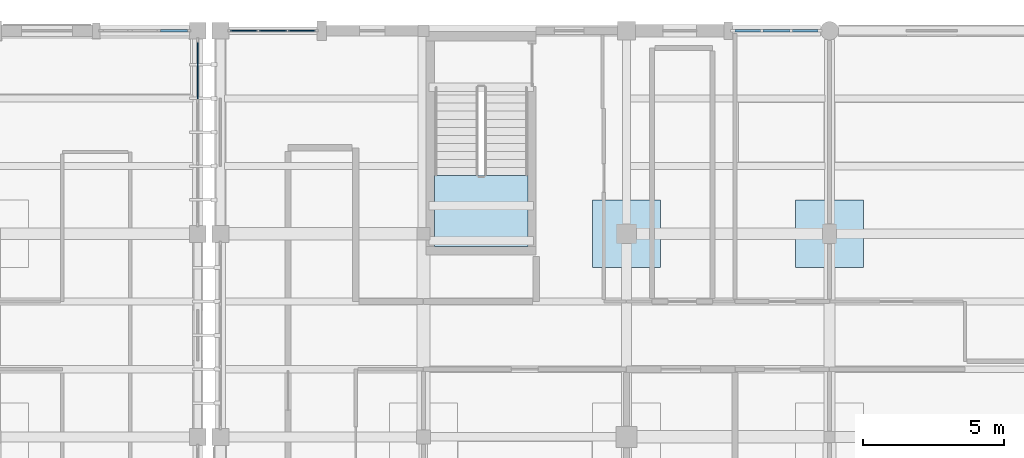
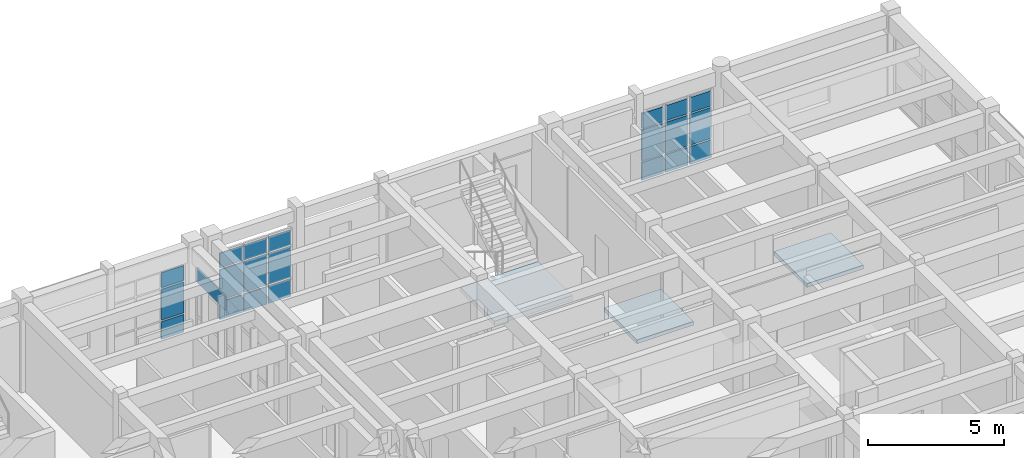
# One storey, part 55 of 100: 22 plates, 3 slabs, 5 elements without a shape of their own.
"""IFC4 building model written with IfcOpenShell, lengths in metres."""

from ifc_helpers import new_model, si_unit, direction, frame, origin, origin_2d, place, context, subcontext, project, spatial, polyline, rectangle, outline, extrude, material, layer, layer_set, type_object, element, aggregate, save


model = new_model("IFC4")

# Units and contexts
model_context = context("Model", 3, precision=1e-05, world=origin(), true_north=direction((0.0, 1.0)))
body_context = subcontext(model_context, "Body", "Model", "MODEL_VIEW")
ifc_project = project(units=[si_unit("LENGTHUNIT", "METRE"), si_unit("AREAUNIT", "SQUARE_METRE"), si_unit("VOLUMEUNIT", "CUBIC_METRE"), si_unit("PLANEANGLEUNIT", "RADIAN"), si_unit("MASSUNIT", "GRAM", prefix="KILO")], contexts=[model_context])

# Site, building, storey
site_placement = place(None, origin())
site = spatial("IfcSite", under=ifc_project, at=site_placement, CompositionType="ELEMENT")
building_placement = place(site_placement, origin())
building = spatial("IfcBuilding", under=site, at=building_placement, Name="Steenspoor Specialist Clinic", CompositionType="ELEMENT")
storey_placement = place(building_placement, frame((0.0, 0.0, 9.0)))
storey = spatial("IfcBuildingStorey", under=building, at=storey_placement, Name="L02", CompositionType="ELEMENT", Elevation=9.0)

# Curtain wall, plate
ifc_material_1 = material(Name="Thermally broken aluminium and low-emissivity glass", Category="aluminium")
curtain_wall_type_1 = type_object("IfcCurtainWallType", Name="CW-TYP-300X355", PredefinedType="USERDEFINED", material=ifc_material_1)
curtain_wall_1_placement = place(storey_placement, origin())
curtain_wall_1 = element("IfcCurtainWall", 1, at=curtain_wall_1_placement, inside=storey, type_object=curtain_wall_type_1, Name="Unitised Curtain Wall CW-V4-L02-087", ObjectType="UNITISED GLAZING", PredefinedType="USERDEFINED")
ifc_material_2 = material(Name="Double low-emissivity insulated glass", Category="glass")
ifc_layer_1 = layer(ifc_material_2, 0.035888671875)
ifc_layer_set_1 = layer_set([ifc_layer_1], Name="Double low-emissivity insulated glass")
plate_type_1 = type_object("IfcPlateType", Name="CW-PAN-GL36", PredefinedType="CURTAIN_PANEL", material=ifc_layer_set_1)
plate_1_placement = place(storey_placement, frame((117.199951171875, 106.933837890625, 2.38232421875), z_axis=(0.0, 0.0, 1.0), x_axis=(0.0, -1.0, 0.0)))
plate_1 = element("IfcPlate", 2, at=plate_1_placement, type_object=plate_type_1, Name="CW-15 panel 1.3", PredefinedType="CURTAIN_PANEL", context=body_context, shape_type="SweptSolid", body=[
    extrude(rectangle(XDim=2.1025390625, YDim=0.035888671875, at=origin_2d()), origin(), (0.0, 0.0, 1.0), 0.6826171875),
])
aggregate(curtain_wall_1, [plate_1])

# Curtain wall, plates
curtain_wall_type_2 = type_object("IfcCurtainWallType", Name="CW-WLK-360X340", PredefinedType="USERDEFINED", material=ifc_material_1)
curtain_wall_2_placement = place(storey_placement, origin())
curtain_wall_2 = element("IfcCurtainWall", 3, at=curtain_wall_2_placement, inside=storey, type_object=curtain_wall_type_2, Name="Unitised Curtain Wall CW-V6-L02-190", ObjectType="UNITISED GLAZING", PredefinedType="USERDEFINED")
ifc_material_3 = material(Name="Triple acoustic laminated low-emissivity glass", Category="glass")
ifc_layer_2 = layer(ifc_material_3, 0.048095703125)
ifc_layer_set_2 = layer_set([ifc_layer_2], Name="Triple acoustic laminated low-emissivity glass")
plate_type_2 = type_object("IfcPlateType", Name="CW-PAN-GL48", PredefinedType="CURTAIN_PANEL", material=ifc_layer_set_2)
plate_2_placement = place(storey_placement, frame((118.836669921875, 108.35009765625, 0.080078125), z_axis=(0.0, 0.0, 1.0), x_axis=(1.0, 0.0, 0.0)))
plate_2 = element("IfcPlate", 4, at=plate_2_placement, type_object=plate_type_2, Name="CW-22 panel 1.1", PredefinedType="CURTAIN_PANEL", context=body_context, shape_type="SweptSolid", body=[
    extrude(rectangle(XDim=0.953369140625, YDim=0.048095703125, at=origin_2d()), origin(), (0.0, 0.0, 1.0), 0.780029296875),
])
plate_3_placement = place(storey_placement, frame((118.836669921875, 108.35009765625, 0.93994140625), z_axis=(0.0, 0.0, 1.0), x_axis=(1.0, 0.0, 0.0)))
plate_3 = element("IfcPlate", 5, at=plate_3_placement, type_object=plate_type_2, Name="CW-22 panel 1.2", PredefinedType="CURTAIN_PANEL", context=body_context, shape_type="SweptSolid", body=[
    extrude(rectangle(XDim=0.953369140625, YDim=0.048095703125, at=origin_2d()), origin(), (0.0, 0.0, 1.0), 1.3701171875),
])
plate_4_placement = place(storey_placement, frame((118.836669921875, 108.35009765625, 2.39013671875), z_axis=(0.0, 0.0, 1.0), x_axis=(1.0, 0.0, 0.0)))
plate_4 = element("IfcPlate", 6, at=plate_4_placement, type_object=plate_type_2, Name="CW-22 panel 1.3", PredefinedType="CURTAIN_PANEL", context=body_context, shape_type="SweptSolid", body=[
    extrude(rectangle(XDim=0.953369140625, YDim=0.048095703125, at=origin_2d()), origin(), (0.0, 0.0, 1.0), 0.659912109375),
])
plate_5_placement = place(storey_placement, frame((119.864990234375, 108.35009765625, 0.080078125), z_axis=(0.0, 0.0, 1.0), x_axis=(1.0, 0.0, 0.0)))
plate_5 = element("IfcPlate", 7, at=plate_5_placement, type_object=plate_type_2, Name="CW-22 panel 2.1", PredefinedType="CURTAIN_PANEL", context=body_context, shape_type="SweptSolid", body=[
    extrude(rectangle(XDim=0.9833984375, YDim=0.048095703125, at=origin_2d()), origin(), (0.0, 0.0, 1.0), 0.780029296875),
])
plate_6_placement = place(storey_placement, frame((119.864990234375, 108.35009765625, 0.93994140625), z_axis=(0.0, 0.0, 1.0), x_axis=(1.0, 0.0, 0.0)))
plate_6 = element("IfcPlate", 8, at=plate_6_placement, type_object=plate_type_2, Name="CW-22 panel 2.2", PredefinedType="CURTAIN_PANEL", context=body_context, shape_type="SweptSolid", body=[
    extrude(rectangle(XDim=0.9833984375, YDim=0.048095703125, at=origin_2d()), origin(), (0.0, 0.0, 1.0), 1.3701171875),
])
plate_7_placement = place(storey_placement, frame((119.864990234375, 108.35009765625, 2.39013671875), z_axis=(0.0, 0.0, 1.0), x_axis=(1.0, 0.0, 0.0)))
plate_7 = element("IfcPlate", 9, at=plate_7_placement, type_object=plate_type_2, Name="CW-22 panel 2.3", PredefinedType="CURTAIN_PANEL", context=body_context, shape_type="SweptSolid", body=[
    extrude(rectangle(XDim=0.9833984375, YDim=0.048095703125, at=origin_2d()), origin(), (0.0, 0.0, 1.0), 0.659912109375),
])
plate_8_placement = place(storey_placement, frame((120.893310546875, 108.35009765625, 0.080078125), z_axis=(0.0, 0.0, 1.0), x_axis=(1.0, 0.0, 0.0)))
plate_8 = element("IfcPlate", 10, at=plate_8_placement, type_object=plate_type_2, Name="CW-22 panel 3.1", PredefinedType="CURTAIN_PANEL", context=body_context, shape_type="SweptSolid", body=[
    extrude(rectangle(XDim=0.953369140625, YDim=0.048095703125, at=origin_2d()), origin(), (0.0, 0.0, 1.0), 0.780029296875),
])
plate_9_placement = place(storey_placement, frame((120.893310546875, 108.35009765625, 0.93994140625), z_axis=(0.0, 0.0, 1.0), x_axis=(1.0, 0.0, 0.0)))
plate_9 = element("IfcPlate", 11, at=plate_9_placement, type_object=plate_type_2, Name="CW-22 panel 3.2", PredefinedType="CURTAIN_PANEL", context=body_context, shape_type="SweptSolid", body=[
    extrude(rectangle(XDim=0.953369140625, YDim=0.048095703125, at=origin_2d()), origin(), (0.0, 0.0, 1.0), 1.3701171875),
])
plate_10_placement = place(storey_placement, frame((120.893310546875, 108.35009765625, 2.39013671875), z_axis=(0.0, 0.0, 1.0), x_axis=(1.0, 0.0, 0.0)))
plate_10 = element("IfcPlate", 12, at=plate_10_placement, type_object=plate_type_2, Name="CW-22 panel 3.3", PredefinedType="CURTAIN_PANEL", context=body_context, shape_type="SweptSolid", body=[
    extrude(rectangle(XDim=0.953369140625, YDim=0.048095703125, at=origin_2d()), origin(), (0.0, 0.0, 1.0), 0.659912109375),
])
aggregate(curtain_wall_2, [plate_2, plate_3, plate_4, plate_5, plate_6, plate_7, plate_8, plate_9, plate_10])

curtain_wall_type_3 = type_object("IfcCurtainWallType", Name="CW-TYP-360X355", PredefinedType="USERDEFINED", material=ifc_material_1)
curtain_wall_3_placement = place(storey_placement, origin())
curtain_wall_3 = element("IfcCurtainWall", 13, at=curtain_wall_3_placement, inside=storey, type_object=curtain_wall_type_3, Name="Unitised Curtain Wall CW-V4-L02-086", ObjectType="UNITISED GLAZING", PredefinedType="USERDEFINED")
ifc_material_4 = material(Name="Insulated glazed ceramic spandrel panel", Category="glass")
ifc_layer_3 = layer(ifc_material_4, 0.074951171875)
ifc_layer_set_3 = layer_set([ifc_layer_3], Name="Insulated glazed ceramic spandrel panel")
plate_type_3 = type_object("IfcPlateType", Name="CW-PAN-SP75", PredefinedType="CURTAIN_PANEL", material=ifc_layer_set_3)
plate_11_placement = place(storey_placement, frame((116.355712890625, 108.35009765625, 0.070068359375), z_axis=(0.0, 0.0, 1.0), x_axis=(1.0, 0.0, 0.0)))
plate_11 = element("IfcPlate", 14, at=plate_11_placement, type_object=plate_type_3, Name="CW-14 panel 3.1", PredefinedType="CURTAIN_PANEL", context=body_context, shape_type="SweptSolid", body=[
    extrude(rectangle(XDim=0.9482421875, YDim=0.074951171875, at=origin_2d()), origin(), (0.0, 0.0, 1.0), 0.794921875),
])
plate_12_placement = place(storey_placement, frame((116.355712890625, 108.35009765625, 0.93505859375), z_axis=(0.0, 0.0, 1.0), x_axis=(1.0, 0.0, 0.0)))
plate_12 = element("IfcPlate", 15, at=plate_12_placement, type_object=plate_type_3, Name="CW-14 panel 3.2", PredefinedType="CURTAIN_PANEL", context=body_context, shape_type="SweptSolid", body=[
    extrude(rectangle(XDim=0.9482421875, YDim=0.074951171875, at=origin_2d()), origin(), (0.0, 0.0, 1.0), 1.3798828125),
])
plate_13_placement = place(storey_placement, frame((116.355712890625, 108.35009765625, 2.384765625), z_axis=(0.0, 0.0, 1.0), x_axis=(1.0, 0.0, 0.0)))
plate_13 = element("IfcPlate", 16, at=plate_13_placement, type_object=plate_type_3, Name="CW-14 panel 3.3", PredefinedType="CURTAIN_PANEL", context=body_context, shape_type="SweptSolid", body=[
    extrude(rectangle(XDim=0.9482421875, YDim=0.074951171875, at=origin_2d()), origin(), (0.0, 0.0, 1.0), 0.675048828125),
])
aggregate(curtain_wall_3, [plate_11, plate_12, plate_13])

curtain_wall_type_4 = type_object("IfcCurtainWallType", Name="CW-STR-220X355", PredefinedType="USERDEFINED", material=ifc_material_1)
curtain_wall_4_placement = place(storey_placement, origin())
curtain_wall_4 = element("IfcCurtainWall", 17, at=curtain_wall_4_placement, inside=storey, type_object=curtain_wall_type_4, Name="Unitised Curtain Wall CW-V6-L02-191", ObjectType="UNITISED GLAZING", PredefinedType="USERDEFINED")
plate_14_placement = place(storey_placement, frame((136.693359375, 108.35009765625, 0.070068359375), z_axis=(0.0, 0.0, 1.0), x_axis=(1.0, 0.0, 0.0)))
plate_14 = element("IfcPlate", 18, at=plate_14_placement, type_object=plate_type_3, Name="CW-23 panel 1.1", PredefinedType="CURTAIN_PANEL", context=body_context, shape_type="SweptSolid", body=[
    extrude(rectangle(XDim=0.90673828125, YDim=0.074951171875, at=origin_2d()), origin(), (0.0, 0.0, 1.0), 0.794921875),
])
plate_15_placement = place(storey_placement, frame((136.693359375, 108.35009765625, 0.93505859375), z_axis=(0.0, 0.0, 1.0), x_axis=(1.0, 0.0, 0.0)))
plate_15 = element("IfcPlate", 19, at=plate_15_placement, type_object=plate_type_3, Name="CW-23 panel 1.2", PredefinedType="CURTAIN_PANEL", context=body_context, shape_type="SweptSolid", body=[
    extrude(rectangle(XDim=0.90673828125, YDim=0.074951171875, at=origin_2d()), origin(), (0.0, 0.0, 1.0), 1.3798828125),
])
plate_16_placement = place(storey_placement, frame((136.693359375, 108.35009765625, 2.384765625), z_axis=(0.0, 0.0, 1.0), x_axis=(1.0, 0.0, 0.0)))
plate_16 = element("IfcPlate", 20, at=plate_16_placement, type_object=plate_type_3, Name="CW-23 panel 1.3", PredefinedType="CURTAIN_PANEL", context=body_context, shape_type="SweptSolid", body=[
    extrude(rectangle(XDim=0.90673828125, YDim=0.074951171875, at=origin_2d()), origin(), (0.0, 0.0, 1.0), 0.675048828125),
])
plate_17_placement = place(storey_placement, frame((137.71240234375, 108.35009765625, 0.070068359375), z_axis=(0.0, 0.0, 1.0), x_axis=(1.0, 0.0, 0.0)))
plate_17 = element("IfcPlate", 21, at=plate_17_placement, type_object=plate_type_3, Name="CW-23 panel 2.1", PredefinedType="CURTAIN_PANEL", context=body_context, shape_type="SweptSolid", body=[
    extrude(rectangle(XDim=0.95166015625, YDim=0.074951171875, at=origin_2d()), origin(), (0.0, 0.0, 1.0), 0.794921875),
])
plate_18_placement = place(storey_placement, frame((137.71240234375, 108.35009765625, 0.93505859375), z_axis=(0.0, 0.0, 1.0), x_axis=(1.0, 0.0, 0.0)))
plate_18 = element("IfcPlate", 22, at=plate_18_placement, type_object=plate_type_3, Name="CW-23 panel 2.2", PredefinedType="CURTAIN_PANEL", context=body_context, shape_type="SweptSolid", body=[
    extrude(rectangle(XDim=0.95166015625, YDim=0.074951171875, at=origin_2d()), origin(), (0.0, 0.0, 1.0), 1.3798828125),
])
plate_19_placement = place(storey_placement, frame((137.71240234375, 108.35009765625, 2.384765625), z_axis=(0.0, 0.0, 1.0), x_axis=(1.0, 0.0, 0.0)))
plate_19 = element("IfcPlate", 23, at=plate_19_placement, type_object=plate_type_3, Name="CW-23 panel 2.3", PredefinedType="CURTAIN_PANEL", context=body_context, shape_type="SweptSolid", body=[
    extrude(rectangle(XDim=0.95166015625, YDim=0.074951171875, at=origin_2d()), origin(), (0.0, 0.0, 1.0), 0.675048828125),
])
plate_20_placement = place(storey_placement, frame((138.731689453125, 108.35009765625, 0.070068359375), z_axis=(0.0, 0.0, 1.0), x_axis=(1.0, 0.0, 0.0)))
plate_20 = element("IfcPlate", 24, at=plate_20_placement, type_object=plate_type_3, Name="CW-23 panel 3.1", PredefinedType="CURTAIN_PANEL", context=body_context, shape_type="SweptSolid", body=[
    extrude(rectangle(XDim=0.90673828125, YDim=0.074951171875, at=origin_2d()), origin(), (0.0, 0.0, 1.0), 0.794921875),
])
plate_21_placement = place(storey_placement, frame((138.731689453125, 108.35009765625, 0.93505859375), z_axis=(0.0, 0.0, 1.0), x_axis=(1.0, 0.0, 0.0)))
plate_21 = element("IfcPlate", 25, at=plate_21_placement, type_object=plate_type_3, Name="CW-23 panel 3.2", PredefinedType="CURTAIN_PANEL", context=body_context, shape_type="SweptSolid", body=[
    extrude(rectangle(XDim=0.90673828125, YDim=0.074951171875, at=origin_2d()), origin(), (0.0, 0.0, 1.0), 1.3798828125),
])
plate_22_placement = place(storey_placement, frame((138.731689453125, 108.35009765625, 2.384765625), z_axis=(0.0, 0.0, 1.0), x_axis=(1.0, 0.0, 0.0)))
plate_22 = element("IfcPlate", 26, at=plate_22_placement, type_object=plate_type_3, Name="CW-23 panel 3.3", PredefinedType="CURTAIN_PANEL", context=body_context, shape_type="SweptSolid", body=[
    extrude(rectangle(XDim=0.90673828125, YDim=0.074951171875, at=origin_2d()), origin(), (0.0, 0.0, 1.0), 0.675048828125),
])
aggregate(curtain_wall_4, [plate_14, plate_15, plate_16, plate_17, plate_18, plate_19, plate_20, plate_21, plate_22])

# Slabs
ifc_material_5 = material(Name="Concrete C35/45", Category="concrete")
ifc_layer_4 = layer(ifc_material_5, 0.169921875)
ifc_layer_set_4 = layer_set([ifc_layer_4], Name="Concrete C35/45")
slab_type_1 = type_object("IfcSlabType", Name="SL-DROP-170", PredefinedType="USERDEFINED", material=ifc_layer_set_4)
slab_1_placement = place(storey_placement, frame((0.0, 0.0, -0.419921875)))
element("IfcSlab", 27, at=slab_1_placement, inside=storey, type_object=slab_type_1, Name="Column Drop Panel DROP-V6-L02-152", ObjectType="DROP PANEL", PredefinedType="USERDEFINED", context=body_context, shape_type="SweptSolid", body=[
    extrude(outline(polyline([(133.60009765625, 99.949951171875), (133.60009765625, 102.35009765625), (131.199951171875, 102.35009765625), (131.199951171875, 99.949951171875), (133.60009765625, 99.949951171875)])), origin(), (0.0, 0.0, 1.0), 0.169921875),
])
slab_2_placement = place(storey_placement, frame((0.0, 0.0, -0.419921875)))
element("IfcSlab", 28, at=slab_2_placement, inside=storey, type_object=slab_type_1, Name="Column Drop Panel DROP-V6-L02-157", ObjectType="DROP PANEL", PredefinedType="USERDEFINED", context=body_context, shape_type="SweptSolid", body=[
    extrude(outline(polyline([(140.800048828125, 99.949951171875), (140.800048828125, 102.35009765625), (138.39990234375, 102.35009765625), (138.39990234375, 99.949951171875), (140.800048828125, 99.949951171875)])), origin(), (0.0, 0.0, 1.0), 0.169921875),
])

# Stair, slab
stair_type = type_object("IfcStairType", Name="ST-CORE-TYP", PredefinedType="HALF_TURN_STAIR", material=ifc_material_5)
stair_placement = place(storey_placement, origin())
stair = element("IfcStair", 29, at=stair_placement, inside=storey, type_object=stair_type, Name="L02 Enclosed Exit Stair ST-V6A", PredefinedType="HALF_TURN_STAIR")
ifc_layer_5 = layer(ifc_material_5, 0.199951171875)
ifc_layer_set_5 = layer_set([ifc_layer_5], Name="Concrete C35/45")
slab_type_2 = type_object("IfcSlabType", Name="SL-LAND-200", PredefinedType="LANDING", material=ifc_layer_set_5)
slab_3_placement = place(storey_placement, frame((0.0, 0.0, 1.89990234375)))
slab_3 = element("IfcSlab", 30, at=slab_3_placement, type_object=slab_type_2, Name="ST-V6A landing 1", PredefinedType="LANDING", context=body_context, shape_type="SweptSolid", body=[
    extrude(outline(polyline([(125.60009765625, 103.215087890625), (125.60009765625, 100.699951171875), (128.89990234375, 100.699951171875), (128.89990234375, 103.215087890625), (125.60009765625, 103.215087890625)])), origin(), (0.0, 0.0, 1.0), 0.2001953125),
])
aggregate(stair, [slab_3])

save(model, "model.ifc")
